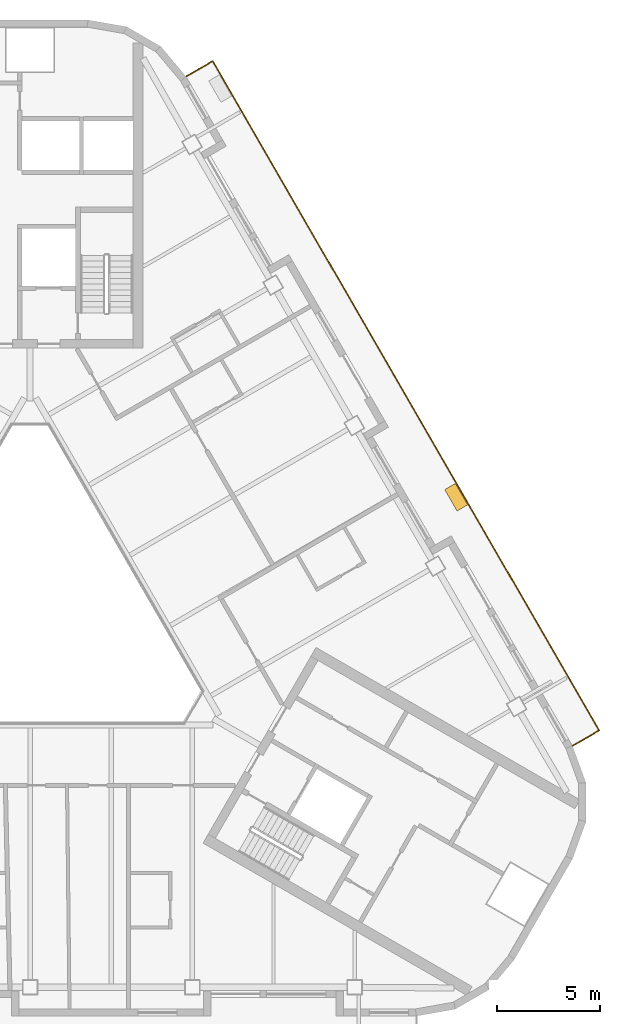
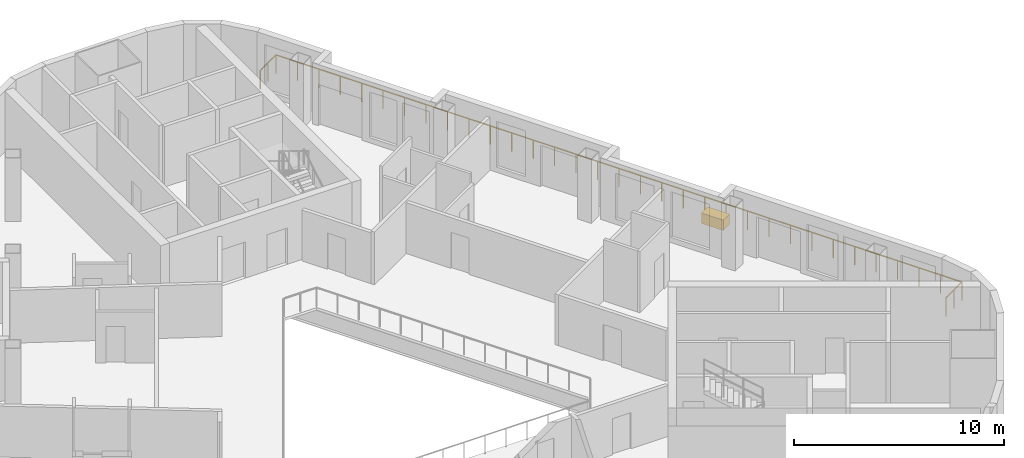
# One storey, part 12 of 13: 1 covering, 1 railing.
"""IFC4 building model written with IfcOpenShell, lengths in metres."""

import ifcopenshell
import ifcopenshell.guid

model = None  # the IFC model being written
_history = None  # IfcOwnerHistory: only IFC2X3 demands one
_inside = {}  # id of a spatial element -> (the spatial element, [elements in it])
_under = {}  # id of a project, library or spatial element -> (it, [spatial elements below it])
_declared = {}  # id of a project -> (the project, [libraries it declares])
_typed = {}  # id of a type object -> (the type object, [elements of that type])
_made_of = {}  # id of a material, layer set ... -> (it, [elements and type objects made of it])


def new_model(schema):
    """Start an empty IFC model of exactly this schema.

    Asked for "IFC4X3", IfcOpenShell would pick the latest addendum, in which some entities
    have other attributes; the version numbers below select the first issue.
    IFC2X3 requires an IfcOwnerHistory on every rooted entity: one is made here for all.
    """
    global model, _history
    if schema == "IFC4X3":
        model = ifcopenshell.file(schema_version=(4, 3, 0, 0))
    else:
        model = ifcopenshell.file(schema=schema)
    _inside.clear()
    _under.clear()
    _declared.clear()
    _typed.clear()
    _made_of.clear()
    _history = None
    if model.schema == "IFC2X3":
        org = make("IfcOrganization", Name="unknown")
        user = make(
            "IfcPersonAndOrganization",
            ThePerson=make("IfcPerson", FamilyName="unknown"),
            TheOrganization=org,
        )
        app = make(
            "IfcApplication",
            ApplicationDeveloper=org,
            Version="unknown",
            ApplicationFullName="unknown",
            ApplicationIdentifier="unknown",
        )
        _history = make(
            "IfcOwnerHistory",
            OwningUser=user,
            OwningApplication=app,
            ChangeAction="ADDED",
            CreationDate=0,
        )
    return model


def make(cls, **values):
    """One entity of the class cls with the attributes given. An attribute that is None is left unset."""
    return model.create_entity(
        cls, **{name: value for name, value in values.items() if value is not None}
    )


def rooted(cls, **values):
    """An entity with a GlobalId (a new one), such as an element, a storey or a relation."""
    return make(cls, GlobalId=ifcopenshell.guid.new(), OwnerHistory=_history, **values)


def si_unit(unit_type, name, prefix=None):
    """IfcSIUnit, for example si_unit("LENGTHUNIT", "METRE", prefix="MILLI")."""
    return make("IfcSIUnit", UnitType=unit_type, Prefix=prefix, Name=name)


def assignment(units):
    """IfcUnitAssignment: the units of a project."""
    return None if units is None else make("IfcUnitAssignment", Units=units)


def point(xyz):
    """IfcCartesianPoint."""
    return None if xyz is None else make("IfcCartesianPoint", Coordinates=xyz)


def direction(xyz):
    """IfcDirection."""
    return None if xyz is None else make("IfcDirection", DirectionRatios=xyz)


def frame(location, z_axis=None, x_axis=None):
    """IfcAxis2Placement3D, a coordinate frame: its origin and axes. An axis left out is left unset."""
    return make(
        "IfcAxis2Placement3D",
        Location=point(location),
        Axis=direction(z_axis),
        RefDirection=direction(x_axis),
    )


def frame_2d(location, x_axis=None):
    """IfcAxis2Placement2D, a coordinate frame in the plane: its origin and x axis."""
    return make(
        "IfcAxis2Placement2D", Location=point(location), RefDirection=direction(x_axis)
    )


def origin():
    """The frame at (0, 0, 0) with its axes left unset."""
    return frame((0.0, 0.0, 0.0))


def origin_2d():
    """The frame at (0, 0) in the plane with its x axis left unset."""
    return frame_2d((0.0, 0.0))


def place(relative_to, where):
    """IfcLocalPlacement: puts the frame where relative to a parent placement (None: the world)."""
    return make(
        "IfcLocalPlacement", PlacementRelTo=relative_to, RelativePlacement=where
    )


def context(
    kind, dimensions, precision=None, world=None, true_north=None, identifier=None
):
    """IfcGeometricRepresentationContext, for example the 3D "Model" context."""
    return make(
        "IfcGeometricRepresentationContext",
        ContextIdentifier=identifier,
        ContextType=kind,
        CoordinateSpaceDimension=dimensions,
        Precision=precision,
        WorldCoordinateSystem=world,
        TrueNorth=true_north,
    )


def subcontext(parent, identifier, kind, view, scale=None):
    """IfcGeometricRepresentationSubContext, for example "Body" below "Model"."""
    return make(
        "IfcGeometricRepresentationSubContext",
        ContextIdentifier=identifier,
        ContextType=kind,
        ParentContext=parent,
        TargetScale=scale,
        TargetView=view,
    )


def project(units=None, contexts=None):
    """IfcProject with its units and contexts."""
    return rooted(
        "IfcProject",
        Name="project",
        RepresentationContexts=contexts,
        UnitsInContext=assignment(units),
    )


def spatial(cls, under=None, at=None, **own):
    """A site, building, storey or space (cls), placed at a placement, below another one or the project."""
    s = rooted(cls, ObjectPlacement=at, **own)
    if under is not None:
        _under.setdefault(under.id(), (under, []))[1].append(s)
    return s


def profile(cls, at=None, kind="AREA", **sizes):
    """A parametric profile (cls). Its sizes go by their IFC names, for example OverallWidth=200.0."""
    return make(cls, ProfileType=kind, Position=at, **sizes)


def rectangle(**sizes):
    """IfcRectangleProfileDef."""
    return profile("IfcRectangleProfileDef", **sizes)


def extrude(swept, where, along, depth):
    """IfcExtrudedAreaSolid: the profile swept, set in the frame where, extruded along a direction by depth."""
    return make(
        "IfcExtrudedAreaSolid",
        SweptArea=swept,
        Position=where,
        ExtrudedDirection=direction(along),
        Depth=depth,
    )


def shape(context_of_items, identifier, shape_type, items):
    """IfcShapeRepresentation: the items that make up one representation, for example the "Body"."""
    return make(
        "IfcShapeRepresentation",
        ContextOfItems=context_of_items,
        RepresentationIdentifier=identifier,
        RepresentationType=shape_type,
        Items=items,
    )


def material(Name=None, Category=None):
    """IfcMaterial."""
    return make("IfcMaterial", Name=Name, Category=Category)


def made_of(thing, what):
    """Note that an element or type object is made of a material, layer set ...; save() writes the relation."""
    if what is not None:
        _made_of.setdefault(what.id(), (what, []))[1].append(thing)
    return thing


def type_object(cls, material=None, **own):
    """A type object (cls), such as IfcWallType, which elements share."""
    return made_of(rooted(cls, **own), material)


def element(
    cls,
    number,
    at=None,
    inside=None,
    cuts=None,
    type_object=None,
    material=None,
    context=None,
    identifier="Body",
    shape_type=None,
    held_by="IfcProductDefinitionShape",
    body=None,
    shapes=None,
    **own,
):
    """One element of the class cls, such as IfcWall. Its Tag is "e" and its number.

    at: its placement. inside: the storey or other place that contains it. cuts: it is an
    opening in that element (IfcRelVoidsElement). A single representation is given by context,
    identifier, shape_type and body (its items); several are given by shapes. held_by: the class
    of the entity that holds the representations. save() writes the other relations.
    """
    e = rooted(cls, Tag="e%d" % number, ObjectPlacement=at, **own)
    if body is not None:
        shapes = [shape(context, identifier, shape_type, body)]
    if shapes is not None:
        e.Representation = make(held_by, Representations=shapes)
    if inside is not None:
        _inside.setdefault(inside.id(), (inside, []))[1].append(e)
    if cuts is not None:
        rooted(
            "IfcRelVoidsElement", RelatingBuildingElement=cuts, RelatedOpeningElement=e
        )
    if type_object is not None:
        _typed.setdefault(type_object.id(), (type_object, []))[1].append(e)
    return made_of(e, material)


def aggregate(whole, parts):
    """IfcRelAggregates: a whole, such as a stair, and the parts it consists of."""
    return rooted("IfcRelAggregates", RelatingObject=whole, RelatedObjects=parts)


def save(model, path):
    """Write the relations noted so far, then the file.

    IfcRelAggregates (storeys below a building ...), IfcRelContainedInSpatialStructure (elements
    in a storey), IfcRelDefinesByType, IfcRelAssociatesMaterial and IfcRelDeclares: one each for
    every whole, place, type object, material and project.
    """
    for whole, parts in _under.values():
        aggregate(whole, parts)
    for where, things in _inside.values():
        rooted(
            "IfcRelContainedInSpatialStructure",
            RelatedElements=things,
            RelatingStructure=where,
        )
    for kind, things in _typed.values():
        rooted("IfcRelDefinesByType", RelatedObjects=things, RelatingType=kind)
    for what, things in _made_of.values():
        rooted("IfcRelAssociatesMaterial", RelatedObjects=things, RelatingMaterial=what)
    for by, libraries in _declared.values():
        rooted("IfcRelDeclares", RelatingContext=by, RelatedDefinitions=libraries)
    model.write(path)


model = new_model("IFC4")

# Units and contexts
model_context = context("Model", 3, precision=1e-05, world=origin(), true_north=direction((0.0, 1.0)))
body_context = subcontext(model_context, "Body", "Model", "MODEL_VIEW")
ifc_project = project(units=[si_unit("LENGTHUNIT", "METRE"), si_unit("AREAUNIT", "SQUARE_METRE"), si_unit("VOLUMEUNIT", "CUBIC_METRE"), si_unit("PLANEANGLEUNIT", "RADIAN"), si_unit("MASSUNIT", "GRAM", prefix="KILO")], contexts=[model_context])

# Site, building, storey
site_placement = place(None, origin())
site = spatial("IfcSite", under=ifc_project, at=site_placement, CompositionType="ELEMENT")
building_placement = place(site_placement, origin())
building = spatial("IfcBuilding", under=site, at=building_placement, Name="Apuvela Tower Hotel", CompositionType="ELEMENT")
storey_placement = place(building_placement, frame((0.0, 0.0, 198.39990234375)))
storey = spatial("IfcBuildingStorey", under=building, at=storey_placement, Name="L48", CompositionType="ELEMENT", Elevation=198.39990234375)

# Railing
ifc_material_1 = material(Name="Stainless steel 316 rail with laminated glass infill", Category="steel")
railing_type = type_object("IfcRailingType", Name="ENV-GUARD-1100", PredefinedType="GUARDRAIL", material=ifc_material_1)
railing_placement = place(storey_placement, frame((26.407958984375, -6.47998046875, 0.0)))
element("IfcRailing", 1, at=railing_placement, inside=storey, type_object=railing_type, Name="Balcony guard NE L48", PredefinedType="GUARDRAIL", context=body_context, shape_type="SweptSolid", body=[
    extrude(rectangle(XDim=0.050048828125, YDim=0.050048828125, at=origin_2d()), frame((0.0, 0.0, 1.0751953125), z_axis=(0.866031096941, 0.499990139034, 0.0), x_axis=(-0.499990139034, 0.866031096941, 0.0)), (0.0, 0.0, 1.0), 1.5),
    extrude(rectangle(XDim=0.050048828125, YDim=0.050048828125, at=origin_2d()), frame((1.299072265625, 0.75, 1.0751953125), z_axis=(-0.500000437506, 0.86602515119, 0.0), x_axis=(-0.86602515119, -0.500000437506, 0.0)), (0.0, 0.0, 1.0), 37.6318359375),
    extrude(rectangle(XDim=0.050048828125, YDim=0.050048828125, at=origin_2d()), frame((-17.516845703125, 33.340087890625, 1.0751953125), z_axis=(-0.86599040064, -0.500060622324, 0.0), x_axis=(0.500060622324, -0.86599040064, 0.0)), (0.0, 0.0, 1.0), 1.499755859375),
    extrude(rectangle(XDim=0.0400390625, YDim=0.0400390625, at=origin_2d()), origin(), (0.0, 0.0, 1.0), 1.050048828125),
    extrude(rectangle(XDim=0.0400390625, YDim=0.0400390625, at=origin_2d()), frame((0.6494140625, 0.375, 0.0)), (0.0, 0.0, 1.0), 1.050048828125),
    extrude(rectangle(XDim=0.0400390625, YDim=0.0400390625, at=origin_2d()), frame((1.299072265625, 0.75, 0.0)), (0.0, 0.0, 1.0), 1.050048828125),
    extrude(rectangle(XDim=0.0400390625, YDim=0.0400390625, at=origin_2d()), frame((0.711181640625, 1.7685546875, 0.0)), (0.0, 0.0, 1.0), 1.050048828125),
    extrude(rectangle(XDim=0.0400390625, YDim=0.0400390625, at=origin_2d()), frame((0.123046875, 2.786865234375, 0.0)), (0.0, 0.0, 1.0), 1.050048828125),
    extrude(rectangle(XDim=0.0400390625, YDim=0.0400390625, at=origin_2d()), frame((-0.46484375, 3.805419921875, 0.0)), (0.0, 0.0, 1.0), 1.050048828125),
    extrude(rectangle(XDim=0.0400390625, YDim=0.0400390625, at=origin_2d()), frame((-1.052978515625, 4.82373046875, 0.0)), (0.0, 0.0, 1.0), 1.050048828125),
    extrude(rectangle(XDim=0.0400390625, YDim=0.0400390625, at=origin_2d()), frame((-1.640869140625, 5.84228515625, 0.0)), (0.0, 0.0, 1.0), 1.050048828125),
    extrude(rectangle(XDim=0.0400390625, YDim=0.0400390625, at=origin_2d()), frame((-2.22900390625, 6.860595703125, 0.0)), (0.0, 0.0, 1.0), 1.050048828125),
    extrude(rectangle(XDim=0.0400390625, YDim=0.0400390625, at=origin_2d()), frame((-2.81689453125, 7.879150390625, 0.0)), (0.0, 0.0, 1.0), 1.050048828125),
    extrude(rectangle(XDim=0.0400390625, YDim=0.0400390625, at=origin_2d()), frame((-3.40478515625, 8.8974609375, 0.0)), (0.0, 0.0, 1.0), 1.050048828125),
    extrude(rectangle(XDim=0.0400390625, YDim=0.0400390625, at=origin_2d()), frame((-3.992919921875, 9.916015625, 0.0)), (0.0, 0.0, 1.0), 1.050048828125),
    extrude(rectangle(XDim=0.0400390625, YDim=0.0400390625, at=origin_2d()), frame((-4.580810546875, 10.934326171875, 0.0)), (0.0, 0.0, 1.0), 1.050048828125),
    extrude(rectangle(XDim=0.0400390625, YDim=0.0400390625, at=origin_2d()), frame((-5.1689453125, 11.952880859375, 0.0)), (0.0, 0.0, 1.0), 1.050048828125),
    extrude(rectangle(XDim=0.0400390625, YDim=0.0400390625, at=origin_2d()), frame((-5.7568359375, 12.97119140625, 0.0)), (0.0, 0.0, 1.0), 1.050048828125),
    extrude(rectangle(XDim=0.0400390625, YDim=0.0400390625, at=origin_2d()), frame((-6.344970703125, 13.98974609375, 0.0)), (0.0, 0.0, 1.0), 1.050048828125),
    extrude(rectangle(XDim=0.0400390625, YDim=0.0400390625, at=origin_2d()), frame((-6.932861328125, 15.008056640625, 0.0)), (0.0, 0.0, 1.0), 1.050048828125),
    extrude(rectangle(XDim=0.0400390625, YDim=0.0400390625, at=origin_2d()), frame((-7.52099609375, 16.026611328125, 0.0)), (0.0, 0.0, 1.0), 1.050048828125),
    extrude(rectangle(XDim=0.0400390625, YDim=0.0400390625, at=origin_2d()), frame((-8.10888671875, 17.044921875, 0.0)), (0.0, 0.0, 1.0), 1.050048828125),
    extrude(rectangle(XDim=0.0400390625, YDim=0.0400390625, at=origin_2d()), frame((-8.69677734375, 18.0634765625, 0.0)), (0.0, 0.0, 1.0), 1.050048828125),
    extrude(rectangle(XDim=0.0400390625, YDim=0.0400390625, at=origin_2d()), frame((-9.284912109375, 19.08203125, 0.0)), (0.0, 0.0, 1.0), 1.050048828125),
    extrude(rectangle(XDim=0.0400390625, YDim=0.0400390625, at=origin_2d()), frame((-9.872802734375, 20.100341796875, 0.0)), (0.0, 0.0, 1.0), 1.050048828125),
    extrude(rectangle(XDim=0.0400390625, YDim=0.0400390625, at=origin_2d()), frame((-10.4609375, 21.118896484375, 0.0)), (0.0, 0.0, 1.0), 1.050048828125),
    extrude(rectangle(XDim=0.0400390625, YDim=0.0400390625, at=origin_2d()), frame((-11.048828125, 22.13720703125, 0.0)), (0.0, 0.0, 1.0), 1.050048828125),
    extrude(rectangle(XDim=0.0400390625, YDim=0.0400390625, at=origin_2d()), frame((-11.636962890625, 23.15576171875, 0.0)), (0.0, 0.0, 1.0), 1.050048828125),
    extrude(rectangle(XDim=0.0400390625, YDim=0.0400390625, at=origin_2d()), frame((-12.224853515625, 24.174072265625, 0.0)), (0.0, 0.0, 1.0), 1.050048828125),
    extrude(rectangle(XDim=0.0400390625, YDim=0.0400390625, at=origin_2d()), frame((-12.81298828125, 25.192626953125, 0.0)), (0.0, 0.0, 1.0), 1.050048828125),
    extrude(rectangle(XDim=0.0400390625, YDim=0.0400390625, at=origin_2d()), frame((-13.40087890625, 26.2109375, 0.0)), (0.0, 0.0, 1.0), 1.050048828125),
    extrude(rectangle(XDim=0.0400390625, YDim=0.0400390625, at=origin_2d()), frame((-13.98876953125, 27.2294921875, 0.0)), (0.0, 0.0, 1.0), 1.050048828125),
    extrude(rectangle(XDim=0.0400390625, YDim=0.0400390625, at=origin_2d()), frame((-14.576904296875, 28.247802734375, 0.0)), (0.0, 0.0, 1.0), 1.050048828125),
    extrude(rectangle(XDim=0.0400390625, YDim=0.0400390625, at=origin_2d()), frame((-15.164794921875, 29.266357421875, 0.0)), (0.0, 0.0, 1.0), 1.050048828125),
    extrude(rectangle(XDim=0.0400390625, YDim=0.0400390625, at=origin_2d()), frame((-15.7529296875, 30.28466796875, 0.0)), (0.0, 0.0, 1.0), 1.050048828125),
    extrude(rectangle(XDim=0.0400390625, YDim=0.0400390625, at=origin_2d()), frame((-16.3408203125, 31.30322265625, 0.0)), (0.0, 0.0, 1.0), 1.050048828125),
    extrude(rectangle(XDim=0.0400390625, YDim=0.0400390625, at=origin_2d()), frame((-16.928955078125, 32.321533203125, 0.0)), (0.0, 0.0, 1.0), 1.050048828125),
    extrude(rectangle(XDim=0.0400390625, YDim=0.0400390625, at=origin_2d()), frame((-17.516845703125, 33.340087890625, 0.0)), (0.0, 0.0, 1.0), 1.050048828125),
    extrude(rectangle(XDim=0.0400390625, YDim=0.0400390625, at=origin_2d()), frame((-18.166259765625, 32.965087890625, 0.0)), (0.0, 0.0, 1.0), 1.050048828125),
    extrude(rectangle(XDim=0.0400390625, YDim=0.0400390625, at=origin_2d()), frame((-18.815673828125, 32.590087890625, 0.0)), (0.0, 0.0, 1.0), 1.050048828125),
])

# Covering
ifc_material_2 = material(Name="Planting substrate and soil, planted")
covering_type = type_object("IfcCoveringType", Name="ENV-PLANTER-1200x600", PredefinedType="USERDEFINED", material=ifc_material_2)
covering_placement = place(storey_placement, frame((20.74609375, 5.626708984375, 0.0), z_axis=(0.0, 0.0, 1.0), x_axis=(-0.5, 0.866025403784, 0.0)))
element("IfcCovering", 2, at=covering_placement, inside=storey, type_object=covering_type, Name="Planter NE2", ObjectType="PLANTER", PredefinedType="USERDEFINED", context=body_context, shape_type="SweptSolid", body=[
    extrude(rectangle(XDim=1.199951171875, YDim=0.60009765625, at=origin_2d()), origin(), (0.0, 0.0, 1.0), 0.60009765625),
])

save(model, "model.ifc")
